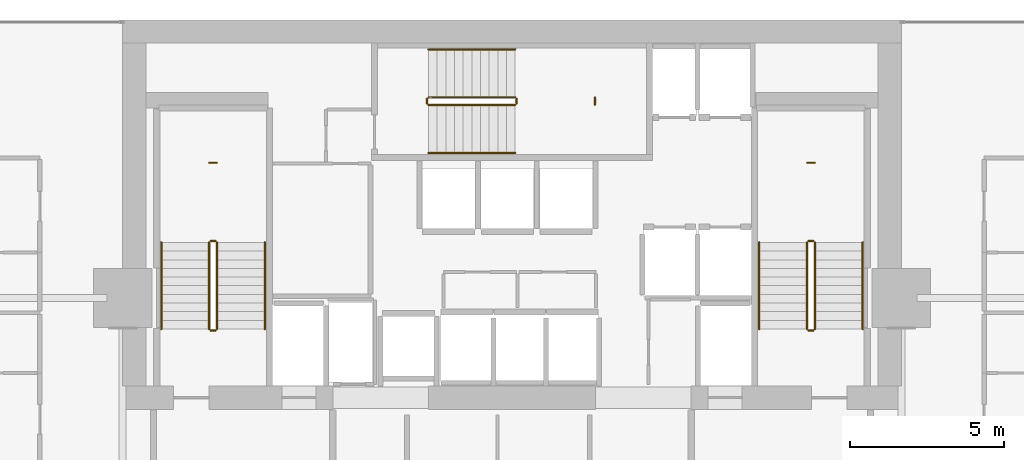
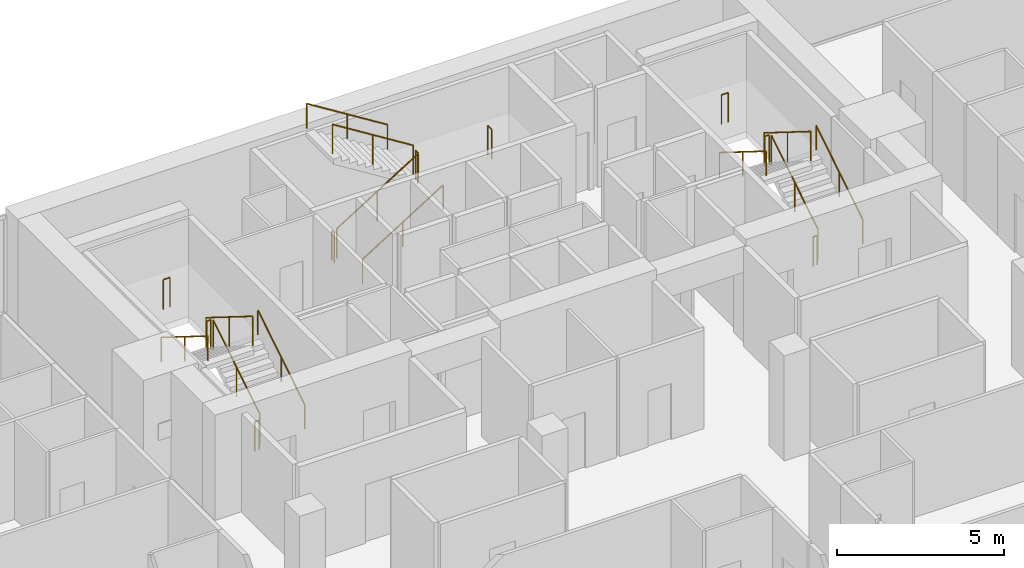
# One storey, part 34 of 34: 21 railings.
"""IFC4 building model written with IfcOpenShell, lengths in metres."""

from ifc_helpers import new_model, si_unit, direction, frame, origin, origin_2d, place, context, subcontext, project, spatial, circle, extrude, material, type_object, element, save


model = new_model("IFC4")

# Units and contexts
model_context = context("Model", 3, precision=1e-05, world=origin(), true_north=direction((0.0, 1.0)))
body_context = subcontext(model_context, "Body", "Model", "MODEL_VIEW")
ifc_project = project(units=[si_unit("LENGTHUNIT", "METRE"), si_unit("AREAUNIT", "SQUARE_METRE"), si_unit("VOLUMEUNIT", "CUBIC_METRE"), si_unit("PLANEANGLEUNIT", "RADIAN"), si_unit("MASSUNIT", "GRAM", prefix="KILO")], contexts=[model_context])

# Site, building, storey
site_placement = place(None, origin())
site = spatial("IfcSite", under=ifc_project, at=site_placement, CompositionType="ELEMENT")
building_placement = place(site_placement, origin())
building = spatial("IfcBuilding", under=site, at=building_placement, Name="Maruvema Waterfront Hotel and Observation Tower", CompositionType="ELEMENT")
storey_placement = place(building_placement, frame((0.0, 0.0, 181.300048828125)))
storey = spatial("IfcBuildingStorey", under=building, at=storey_placement, Name="L44", CompositionType="ELEMENT", Elevation=181.300048828125)

# Railings
ifc_material_1 = material(Name="Brushed stainless steel Grade 316", Category="steel")
railing_type_1 = type_object("IfcRailingType", Name="Ramp Continuous Wall Handrail 920 mm", PredefinedType="HANDRAIL", material=ifc_material_1)
railing_1_placement = place(storey_placement, frame((29.800048828125, 44.0, 0.175048828125)))
element("IfcRailing", 1, at=railing_1_placement, inside=storey, type_object=railing_type_1, Name="L44 ST-01 stair handrail 1", PredefinedType="HANDRAIL", context=body_context, shape_type="SweptSolid", body=[
    extrude(circle(Radius=0.02392578125, at=origin_2d()), frame((0.0, 0.0, 0.89599609375), z_axis=(0.0, 0.848002457836, 0.529992293815), x_axis=(-1.0, 0.0, 0.0)), (0.0, 0.0, 1.0), 3.302001953125),
    extrude(circle(Radius=0.02099609375, at=origin_2d()), origin(), (0.0, 0.0, 1.0), 0.871826171875),
    extrude(circle(Radius=0.02099609375, at=origin_2d()), frame((0.0, 1.39990234375, 0.875)), (0.0, 0.0, 1.0), 0.871826171875),
    extrude(circle(Radius=0.02099609375, at=origin_2d()), frame((0.0, 2.800048828125, 1.75)), (0.0, 0.0, 1.0), 0.871826171875),
])
railing_2_placement = place(storey_placement, frame((26.449951171875, 46.800048828125, 2.099853515625)))
element("IfcRailing", 2, at=railing_2_placement, inside=storey, type_object=railing_type_1, Name="L44 ST-01 stair handrail 2", PredefinedType="HANDRAIL", context=body_context, shape_type="SweptSolid", body=[
    extrude(circle(Radius=0.02392578125, at=origin_2d()), frame((0.0, 0.0, 0.89599609375), z_axis=(0.0, -0.848002457836, 0.529992293815), x_axis=(1.0, 0.0, 0.0)), (0.0, 0.0, 1.0), 3.302001953125),
    extrude(circle(Radius=0.02099609375, at=origin_2d()), origin(), (0.0, 0.0, 1.0), 0.871826171875),
    extrude(circle(Radius=0.02099609375, at=origin_2d()), frame((0.0, -1.39990234375, 0.875)), (0.0, 0.0, 1.0), 0.871826171875),
    extrude(circle(Radius=0.02099609375, at=origin_2d()), frame((0.0, -2.800048828125, 1.75)), (0.0, 0.0, 1.0), 0.871826171875),
])
railing_3_placement = place(storey_placement, frame((35.10009765625, 49.699951171875, 0.175048828125)))
element("IfcRailing", 3, at=railing_3_placement, inside=storey, type_object=railing_type_1, Name="L44 ST-02 stair handrail 1", PredefinedType="HANDRAIL", context=body_context, shape_type="SweptSolid", body=[
    extrude(circle(Radius=0.02392578125, at=origin_2d()), frame((0.0, 0.0, 0.89599609375), z_axis=(0.847981687118, 0.0, 0.530025526095), x_axis=(0.0, 1.0, 0.0)), (0.0, 0.0, 1.0), 3.3017578125),
    extrude(circle(Radius=0.02099609375, at=origin_2d()), origin(), (0.0, 0.0, 1.0), 0.871826171875),
    extrude(circle(Radius=0.02099609375, at=origin_2d()), frame((1.39990234375, 0.0, 0.875)), (0.0, 0.0, 1.0), 0.871826171875),
    extrude(circle(Radius=0.02099609375, at=origin_2d()), frame((2.7998046875, 0.0, 1.75)), (0.0, 0.0, 1.0), 0.871826171875),
])
railing_4_placement = place(storey_placement, frame((37.89990234375, 53.050048828125, 2.099853515625)))
element("IfcRailing", 4, at=railing_4_placement, inside=storey, type_object=railing_type_1, Name="L44 ST-02 stair handrail 2", PredefinedType="HANDRAIL", context=body_context, shape_type="SweptSolid", body=[
    extrude(circle(Radius=0.02392578125, at=origin_2d()), frame((0.0, 0.0, 0.89599609375), z_axis=(-0.847981687118, 0.0, 0.530025526095), x_axis=(0.0, -1.0, 0.0)), (0.0, 0.0, 1.0), 3.3017578125),
    extrude(circle(Radius=0.02099609375, at=origin_2d()), origin(), (0.0, 0.0, 1.0), 0.871826171875),
    extrude(circle(Radius=0.02099609375, at=origin_2d()), frame((-1.39990234375, 0.0, 0.875)), (0.0, 0.0, 1.0), 0.871826171875),
    extrude(circle(Radius=0.02099609375, at=origin_2d()), frame((-2.7998046875, 0.0, 1.75)), (0.0, 0.0, 1.0), 0.871826171875),
])
railing_5_placement = place(storey_placement, frame((49.14990234375, 44.0, 0.175048828125)))
element("IfcRailing", 5, at=railing_5_placement, inside=storey, type_object=railing_type_1, Name="L44 ST-03 stair handrail 1", PredefinedType="HANDRAIL", context=body_context, shape_type="SweptSolid", body=[
    extrude(circle(Radius=0.02392578125, at=origin_2d()), frame((0.0, 0.0, 0.89599609375), z_axis=(0.0, 0.848002457836, 0.529992293815), x_axis=(-1.0, 0.0, 0.0)), (0.0, 0.0, 1.0), 3.302001953125),
    extrude(circle(Radius=0.02099609375, at=origin_2d()), origin(), (0.0, 0.0, 1.0), 0.871826171875),
    extrude(circle(Radius=0.02099609375, at=origin_2d()), frame((0.0, 1.39990234375, 0.875)), (0.0, 0.0, 1.0), 0.871826171875),
    extrude(circle(Radius=0.02099609375, at=origin_2d()), frame((0.0, 2.800048828125, 1.75)), (0.0, 0.0, 1.0), 0.871826171875),
])
railing_6_placement = place(storey_placement, frame((45.800048828125, 46.800048828125, 2.099853515625)))
element("IfcRailing", 6, at=railing_6_placement, inside=storey, type_object=railing_type_1, Name="L44 ST-03 stair handrail 2", PredefinedType="HANDRAIL", context=body_context, shape_type="SweptSolid", body=[
    extrude(circle(Radius=0.02392578125, at=origin_2d()), frame((0.0, 0.0, 0.89599609375), z_axis=(0.0, -0.848002457836, 0.529992293815), x_axis=(1.0, 0.0, 0.0)), (0.0, 0.0, 1.0), 3.302001953125),
    extrude(circle(Radius=0.02099609375, at=origin_2d()), origin(), (0.0, 0.0, 1.0), 0.871826171875),
    extrude(circle(Radius=0.02099609375, at=origin_2d()), frame((0.0, -1.39990234375, 0.875)), (0.0, 0.0, 1.0), 0.871826171875),
    extrude(circle(Radius=0.02099609375, at=origin_2d()), frame((0.0, -2.800048828125, 1.75)), (0.0, 0.0, 1.0), 0.871826171875),
])
ifc_material_2 = material(Name="Brushed stainless steel Grade 316", Category="steel")
railing_type_2 = type_object("IfcRailingType", Name="Ramp and Terrace Guard Balustrade 1100 mm", PredefinedType="BALUSTRADE", material=ifc_material_2)
railing_7_placement = place(storey_placement, frame((28.25, 44.0, 0.175048828125)))
element("IfcRailing", 7, at=railing_7_placement, inside=storey, type_object=railing_type_2, Name="L44 ST-01 stair guard 1", PredefinedType="BALUSTRADE", context=body_context, shape_type="SweptSolid", body=[
    extrude(circle(Radius=0.02392578125, at=origin_2d()), frame((0.0, 0.0, 1.076171875), z_axis=(0.0, 0.848002457836, 0.529992293815), x_axis=(-1.0, 0.0, 0.0)), (0.0, 0.0, 1.0), 3.302001953125),
    extrude(circle(Radius=0.02099609375, at=origin_2d()), origin(), (0.0, 0.0, 1.0), 1.052001953125),
    extrude(circle(Radius=0.02099609375, at=origin_2d()), frame((0.0, 1.39990234375, 0.875)), (0.0, 0.0, 1.0), 1.052001953125),
    extrude(circle(Radius=0.02099609375, at=origin_2d()), frame((0.0, 2.800048828125, 1.75)), (0.0, 0.0, 1.0), 1.052001953125),
])
railing_8_placement = place(storey_placement, frame((28.199951171875, 46.85009765625, 1.925048828125)))
element("IfcRailing", 8, at=railing_8_placement, inside=storey, type_object=railing_type_2, Name="L44 ST-01 stair guard 2", PredefinedType="BALUSTRADE", context=body_context, shape_type="SweptSolid", body=[
    extrude(circle(Radius=0.02392578125, at=origin_2d()), frame((0.0, 0.0, 1.076171875), z_axis=(-1.0, 0.0, 0.0), x_axis=(0.0, -1.0, 0.0)), (0.0, 0.0, 1.0), 0.14990234375),
    extrude(circle(Radius=0.02099609375, at=origin_2d()), origin(), (0.0, 0.0, 1.0), 1.052001953125),
    extrude(circle(Radius=0.02099609375, at=origin_2d()), frame((-0.14990234375, 0.0, 0.0)), (0.0, 0.0, 1.0), 1.052001953125),
])
railing_9_placement = place(storey_placement, frame((28.0, 46.800048828125, 2.099853515625)))
element("IfcRailing", 9, at=railing_9_placement, inside=storey, type_object=railing_type_2, Name="L44 ST-01 stair guard 3", PredefinedType="BALUSTRADE", context=body_context, shape_type="SweptSolid", body=[
    extrude(circle(Radius=0.02392578125, at=origin_2d()), frame((0.0, 0.0, 1.076171875), z_axis=(0.0, -0.848002457836, 0.529992293815), x_axis=(1.0, 0.0, 0.0)), (0.0, 0.0, 1.0), 3.302001953125),
    extrude(circle(Radius=0.02099609375, at=origin_2d()), origin(), (0.0, 0.0, 1.0), 1.052001953125),
    extrude(circle(Radius=0.02099609375, at=origin_2d()), frame((0.0, -1.39990234375, 0.875)), (0.0, 0.0, 1.0), 1.052001953125),
    extrude(circle(Radius=0.02099609375, at=origin_2d()), frame((0.0, -2.800048828125, 1.75)), (0.0, 0.0, 1.0), 1.052001953125),
])
railing_10_placement = place(storey_placement, frame((28.199951171875, 43.949951171875, 0.0)))
element("IfcRailing", 10, at=railing_10_placement, inside=storey, type_object=railing_type_2, Name="L44 ST-01 stair guard 4", PredefinedType="BALUSTRADE", context=body_context, shape_type="SweptSolid", body=[
    extrude(circle(Radius=0.02392578125, at=origin_2d()), frame((0.0, 0.0, 1.076171875), z_axis=(-1.0, 0.0, 0.0), x_axis=(0.0, -1.0, 0.0)), (0.0, 0.0, 1.0), 0.14990234375),
    extrude(circle(Radius=0.02099609375, at=origin_2d()), origin(), (0.0, 0.0, 1.0), 1.052001953125),
    extrude(circle(Radius=0.02099609375, at=origin_2d()), frame((-0.14990234375, 0.0, 0.0)), (0.0, 0.0, 1.0), 1.052001953125),
])
railing_11_placement = place(storey_placement, frame((28.239990234375, 49.3798828125, 1.925048828125)))
element("IfcRailing", 11, at=railing_11_placement, inside=storey, type_object=railing_type_2, Name="L44 ST-01 Half-Landing Slot Guard", PredefinedType="BALUSTRADE", context=body_context, shape_type="SweptSolid", body=[
    extrude(circle(Radius=0.02392578125, at=origin_2d()), frame((0.0, 0.0, 1.076171875), z_axis=(-1.0, 0.0, 0.0), x_axis=(0.0, -1.0, 0.0)), (0.0, 0.0, 1.0), 0.22998046875),
    extrude(circle(Radius=0.02099609375, at=origin_2d()), origin(), (0.0, 0.0, 1.0), 1.052001953125),
    extrude(circle(Radius=0.02099609375, at=origin_2d()), frame((-0.22998046875, 0.0, 0.0)), (0.0, 0.0, 1.0), 1.052001953125),
])
railing_12_placement = place(storey_placement, frame((35.10009765625, 51.25, 0.175048828125)))
element("IfcRailing", 12, at=railing_12_placement, inside=storey, type_object=railing_type_2, Name="L44 ST-02 stair guard 1", PredefinedType="BALUSTRADE", context=body_context, shape_type="SweptSolid", body=[
    extrude(circle(Radius=0.02392578125, at=origin_2d()), frame((0.0, 0.0, 1.076171875), z_axis=(0.847981687118, 0.0, 0.530025526095), x_axis=(0.0, 1.0, 0.0)), (0.0, 0.0, 1.0), 3.3017578125),
    extrude(circle(Radius=0.02099609375, at=origin_2d()), origin(), (0.0, 0.0, 1.0), 1.052001953125),
    extrude(circle(Radius=0.02099609375, at=origin_2d()), frame((1.39990234375, 0.0, 0.875)), (0.0, 0.0, 1.0), 1.052001953125),
    extrude(circle(Radius=0.02099609375, at=origin_2d()), frame((2.7998046875, 0.0, 1.75)), (0.0, 0.0, 1.0), 1.052001953125),
])
railing_13_placement = place(storey_placement, frame((37.949951171875, 51.300048828125, 1.925048828125)))
element("IfcRailing", 13, at=railing_13_placement, inside=storey, type_object=railing_type_2, Name="L44 ST-02 stair guard 2", PredefinedType="BALUSTRADE", context=body_context, shape_type="SweptSolid", body=[
    extrude(circle(Radius=0.02392578125, at=origin_2d()), frame((0.0, 0.0, 1.076171875), z_axis=(0.0, 1.0, 0.0), x_axis=(-1.0, 0.0, 0.0)), (0.0, 0.0, 1.0), 0.14990234375),
    extrude(circle(Radius=0.02099609375, at=origin_2d()), origin(), (0.0, 0.0, 1.0), 1.052001953125),
    extrude(circle(Radius=0.02099609375, at=origin_2d()), frame((0.0, 0.14990234375, 0.0)), (0.0, 0.0, 1.0), 1.052001953125),
])
railing_14_placement = place(storey_placement, frame((37.89990234375, 51.5, 2.099853515625)))
element("IfcRailing", 14, at=railing_14_placement, inside=storey, type_object=railing_type_2, Name="L44 ST-02 stair guard 3", PredefinedType="BALUSTRADE", context=body_context, shape_type="SweptSolid", body=[
    extrude(circle(Radius=0.02392578125, at=origin_2d()), frame((0.0, 0.0, 1.076171875), z_axis=(-0.847981687118, 0.0, 0.530025526095), x_axis=(0.0, -1.0, 0.0)), (0.0, 0.0, 1.0), 3.3017578125),
    extrude(circle(Radius=0.02099609375, at=origin_2d()), origin(), (0.0, 0.0, 1.0), 1.052001953125),
    extrude(circle(Radius=0.02099609375, at=origin_2d()), frame((-1.39990234375, 0.0, 0.875)), (0.0, 0.0, 1.0), 1.052001953125),
    extrude(circle(Radius=0.02099609375, at=origin_2d()), frame((-2.7998046875, 0.0, 1.75)), (0.0, 0.0, 1.0), 1.052001953125),
])
railing_15_placement = place(storey_placement, frame((35.050048828125, 51.300048828125, 0.0)))
element("IfcRailing", 15, at=railing_15_placement, inside=storey, type_object=railing_type_2, Name="L44 ST-02 stair guard 4", PredefinedType="BALUSTRADE", context=body_context, shape_type="SweptSolid", body=[
    extrude(circle(Radius=0.02392578125, at=origin_2d()), frame((0.0, 0.0, 1.076171875), z_axis=(0.0, 1.0, 0.0), x_axis=(-1.0, 0.0, 0.0)), (0.0, 0.0, 1.0), 0.14990234375),
    extrude(circle(Radius=0.02099609375, at=origin_2d()), origin(), (0.0, 0.0, 1.0), 1.052001953125),
    extrude(circle(Radius=0.02099609375, at=origin_2d()), frame((0.0, 0.14990234375, 0.0)), (0.0, 0.0, 1.0), 1.052001953125),
])
railing_16_placement = place(storey_placement, frame((40.47998046875, 51.260009765625, 1.925048828125)))
element("IfcRailing", 16, at=railing_16_placement, inside=storey, type_object=railing_type_2, Name="L44 ST-02 Half-Landing Slot Guard", PredefinedType="BALUSTRADE", context=body_context, shape_type="SweptSolid", body=[
    extrude(circle(Radius=0.02392578125, at=origin_2d()), frame((0.0, 0.0, 1.076171875), z_axis=(0.0, 1.0, 0.0), x_axis=(-1.0, 0.0, 0.0)), (0.0, 0.0, 1.0), 0.22998046875),
    extrude(circle(Radius=0.02099609375, at=origin_2d()), origin(), (0.0, 0.0, 1.0), 1.052001953125),
    extrude(circle(Radius=0.02099609375, at=origin_2d()), frame((0.0, 0.22998046875, 0.0)), (0.0, 0.0, 1.0), 1.052001953125),
])
railing_17_placement = place(storey_placement, frame((47.60009765625, 44.0, 0.175048828125)))
element("IfcRailing", 17, at=railing_17_placement, inside=storey, type_object=railing_type_2, Name="L44 ST-03 stair guard 1", PredefinedType="BALUSTRADE", context=body_context, shape_type="SweptSolid", body=[
    extrude(circle(Radius=0.02392578125, at=origin_2d()), frame((0.0, 0.0, 1.076171875), z_axis=(0.0, 0.848002457836, 0.529992293815), x_axis=(-1.0, 0.0, 0.0)), (0.0, 0.0, 1.0), 3.302001953125),
    extrude(circle(Radius=0.02099609375, at=origin_2d()), origin(), (0.0, 0.0, 1.0), 1.052001953125),
    extrude(circle(Radius=0.02099609375, at=origin_2d()), frame((0.0, 1.39990234375, 0.875)), (0.0, 0.0, 1.0), 1.052001953125),
    extrude(circle(Radius=0.02099609375, at=origin_2d()), frame((0.0, 2.800048828125, 1.75)), (0.0, 0.0, 1.0), 1.052001953125),
])
railing_18_placement = place(storey_placement, frame((47.550048828125, 46.85009765625, 1.925048828125)))
element("IfcRailing", 18, at=railing_18_placement, inside=storey, type_object=railing_type_2, Name="L44 ST-03 stair guard 2", PredefinedType="BALUSTRADE", context=body_context, shape_type="SweptSolid", body=[
    extrude(circle(Radius=0.02392578125, at=origin_2d()), frame((0.0, 0.0, 1.076171875), z_axis=(-1.0, 0.0, 0.0), x_axis=(0.0, -1.0, 0.0)), (0.0, 0.0, 1.0), 0.150146484375),
    extrude(circle(Radius=0.02099609375, at=origin_2d()), origin(), (0.0, 0.0, 1.0), 1.052001953125),
    extrude(circle(Radius=0.02099609375, at=origin_2d()), frame((-0.150146484375, 0.0, 0.0)), (0.0, 0.0, 1.0), 1.052001953125),
])
railing_19_placement = place(storey_placement, frame((47.35009765625, 46.800048828125, 2.099853515625)))
element("IfcRailing", 19, at=railing_19_placement, inside=storey, type_object=railing_type_2, Name="L44 ST-03 stair guard 3", PredefinedType="BALUSTRADE", context=body_context, shape_type="SweptSolid", body=[
    extrude(circle(Radius=0.02392578125, at=origin_2d()), frame((0.0, 0.0, 1.076171875), z_axis=(0.0, -0.848002457836, 0.529992293815), x_axis=(1.0, 0.0, 0.0)), (0.0, 0.0, 1.0), 3.302001953125),
    extrude(circle(Radius=0.02099609375, at=origin_2d()), origin(), (0.0, 0.0, 1.0), 1.052001953125),
    extrude(circle(Radius=0.02099609375, at=origin_2d()), frame((0.0, -1.39990234375, 0.875)), (0.0, 0.0, 1.0), 1.052001953125),
    extrude(circle(Radius=0.02099609375, at=origin_2d()), frame((0.0, -2.800048828125, 1.75)), (0.0, 0.0, 1.0), 1.052001953125),
])
railing_20_placement = place(storey_placement, frame((47.550048828125, 43.949951171875, 0.0)))
element("IfcRailing", 20, at=railing_20_placement, inside=storey, type_object=railing_type_2, Name="L44 ST-03 stair guard 4", PredefinedType="BALUSTRADE", context=body_context, shape_type="SweptSolid", body=[
    extrude(circle(Radius=0.02392578125, at=origin_2d()), frame((0.0, 0.0, 1.076171875), z_axis=(-1.0, 0.0, 0.0), x_axis=(0.0, -1.0, 0.0)), (0.0, 0.0, 1.0), 0.150146484375),
    extrude(circle(Radius=0.02099609375, at=origin_2d()), origin(), (0.0, 0.0, 1.0), 1.052001953125),
    extrude(circle(Radius=0.02099609375, at=origin_2d()), frame((-0.150146484375, 0.0, 0.0)), (0.0, 0.0, 1.0), 1.052001953125),
])
railing_21_placement = place(storey_placement, frame((47.590087890625, 49.3798828125, 1.925048828125)))
element("IfcRailing", 21, at=railing_21_placement, inside=storey, type_object=railing_type_2, Name="L44 ST-03 Half-Landing Slot Guard", PredefinedType="BALUSTRADE", context=body_context, shape_type="SweptSolid", body=[
    extrude(circle(Radius=0.02392578125, at=origin_2d()), frame((0.0, 0.0, 1.076171875), z_axis=(-1.0, 0.0, 0.0), x_axis=(0.0, -1.0, 0.0)), (0.0, 0.0, 1.0), 0.22998046875),
    extrude(circle(Radius=0.02099609375, at=origin_2d()), origin(), (0.0, 0.0, 1.0), 1.052001953125),
    extrude(circle(Radius=0.02099609375, at=origin_2d()), frame((-0.22998046875, 0.0, 0.0)), (0.0, 0.0, 1.0), 1.052001953125),
])

save(model, "model.ifc")
